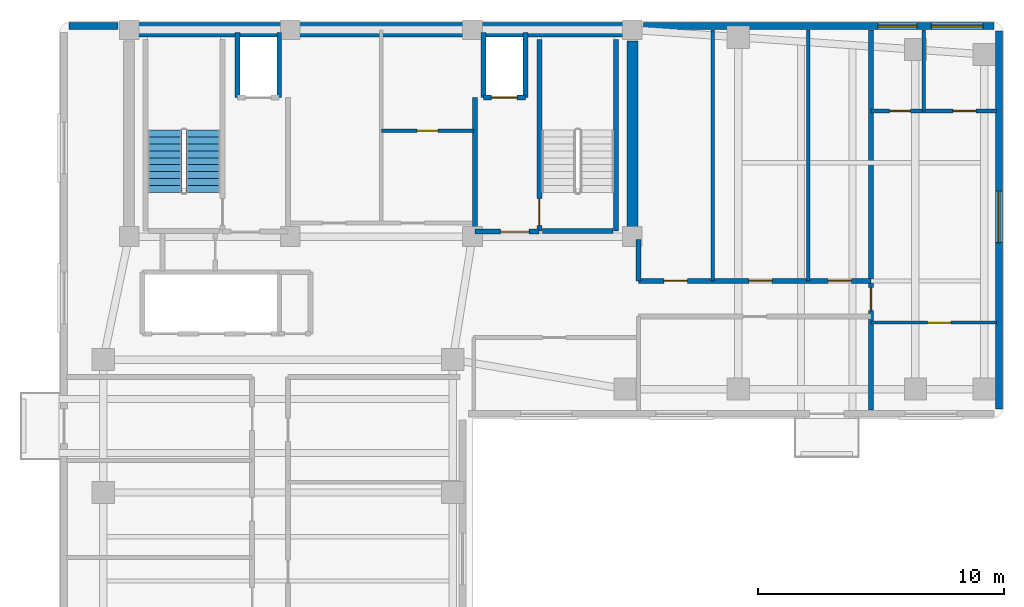
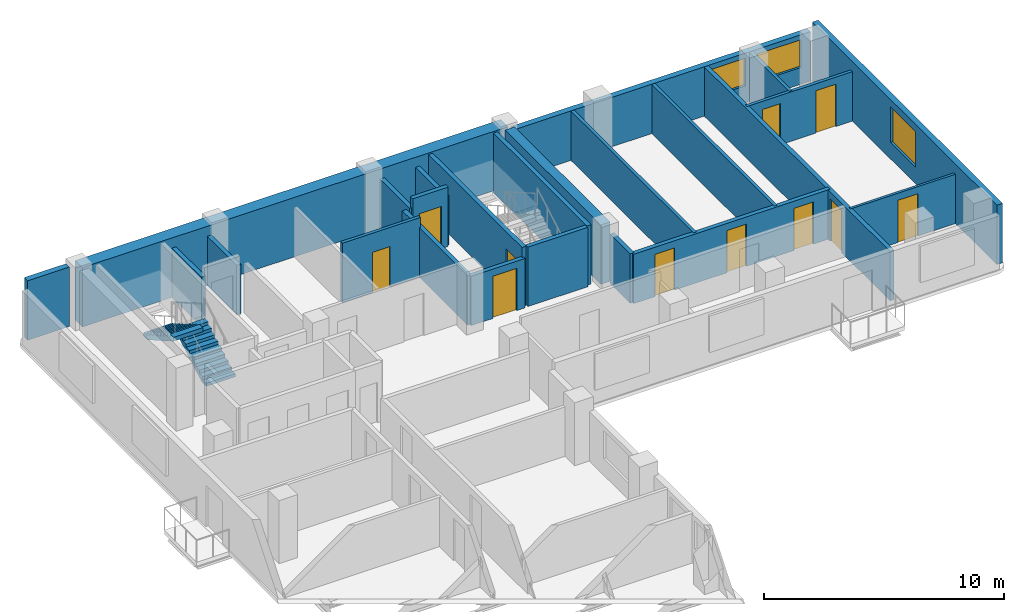
# One storey, part 4 of 7: 24 walls, 11 doors, 3 windows, 2 stair flights, 14 openings, 1 element without a shape of its own.
"""IFC4 building model written with IfcOpenShell, lengths in metres."""

import ifcopenshell
import ifcopenshell.guid

model = None  # the IFC model being written
_history = None  # IfcOwnerHistory: only IFC2X3 demands one
_inside = {}  # id of a spatial element -> (the spatial element, [elements in it])
_under = {}  # id of a project, library or spatial element -> (it, [spatial elements below it])
_declared = {}  # id of a project -> (the project, [libraries it declares])
_typed = {}  # id of a type object -> (the type object, [elements of that type])
_made_of = {}  # id of a material, layer set ... -> (it, [elements and type objects made of it])


def new_model(schema):
    """Start an empty IFC model of exactly this schema.

    Asked for "IFC4X3", IfcOpenShell would pick the latest addendum, in which some entities
    have other attributes; the version numbers below select the first issue.
    IFC2X3 requires an IfcOwnerHistory on every rooted entity: one is made here for all.
    """
    global model, _history
    if schema == "IFC4X3":
        model = ifcopenshell.file(schema_version=(4, 3, 0, 0))
    else:
        model = ifcopenshell.file(schema=schema)
    _inside.clear()
    _under.clear()
    _declared.clear()
    _typed.clear()
    _made_of.clear()
    _history = None
    if model.schema == "IFC2X3":
        org = make("IfcOrganization", Name="unknown")
        user = make(
            "IfcPersonAndOrganization",
            ThePerson=make("IfcPerson", FamilyName="unknown"),
            TheOrganization=org,
        )
        app = make(
            "IfcApplication",
            ApplicationDeveloper=org,
            Version="unknown",
            ApplicationFullName="unknown",
            ApplicationIdentifier="unknown",
        )
        _history = make(
            "IfcOwnerHistory",
            OwningUser=user,
            OwningApplication=app,
            ChangeAction="ADDED",
            CreationDate=0,
        )
    return model


def make(cls, **values):
    """One entity of the class cls with the attributes given. An attribute that is None is left unset."""
    return model.create_entity(
        cls, **{name: value for name, value in values.items() if value is not None}
    )


def rooted(cls, **values):
    """An entity with a GlobalId (a new one), such as an element, a storey or a relation."""
    return make(cls, GlobalId=ifcopenshell.guid.new(), OwnerHistory=_history, **values)


def si_unit(unit_type, name, prefix=None):
    """IfcSIUnit, for example si_unit("LENGTHUNIT", "METRE", prefix="MILLI")."""
    return make("IfcSIUnit", UnitType=unit_type, Prefix=prefix, Name=name)


def assignment(units):
    """IfcUnitAssignment: the units of a project."""
    return None if units is None else make("IfcUnitAssignment", Units=units)


def point(xyz):
    """IfcCartesianPoint."""
    return None if xyz is None else make("IfcCartesianPoint", Coordinates=xyz)


def direction(xyz):
    """IfcDirection."""
    return None if xyz is None else make("IfcDirection", DirectionRatios=xyz)


def frame(location, z_axis=None, x_axis=None):
    """IfcAxis2Placement3D, a coordinate frame: its origin and axes. An axis left out is left unset."""
    return make(
        "IfcAxis2Placement3D",
        Location=point(location),
        Axis=direction(z_axis),
        RefDirection=direction(x_axis),
    )


def frame_2d(location, x_axis=None):
    """IfcAxis2Placement2D, a coordinate frame in the plane: its origin and x axis."""
    return make(
        "IfcAxis2Placement2D", Location=point(location), RefDirection=direction(x_axis)
    )


def origin():
    """The frame at (0, 0, 0) with its axes left unset."""
    return frame((0.0, 0.0, 0.0))


def place(relative_to, where):
    """IfcLocalPlacement: puts the frame where relative to a parent placement (None: the world)."""
    return make(
        "IfcLocalPlacement", PlacementRelTo=relative_to, RelativePlacement=where
    )


def context(
    kind, dimensions, precision=None, world=None, true_north=None, identifier=None
):
    """IfcGeometricRepresentationContext, for example the 3D "Model" context."""
    return make(
        "IfcGeometricRepresentationContext",
        ContextIdentifier=identifier,
        ContextType=kind,
        CoordinateSpaceDimension=dimensions,
        Precision=precision,
        WorldCoordinateSystem=world,
        TrueNorth=true_north,
    )


def subcontext(parent, identifier, kind, view, scale=None):
    """IfcGeometricRepresentationSubContext, for example "Body" below "Model"."""
    return make(
        "IfcGeometricRepresentationSubContext",
        ContextIdentifier=identifier,
        ContextType=kind,
        ParentContext=parent,
        TargetScale=scale,
        TargetView=view,
    )


def project(units=None, contexts=None):
    """IfcProject with its units and contexts."""
    return rooted(
        "IfcProject",
        Name="project",
        RepresentationContexts=contexts,
        UnitsInContext=assignment(units),
    )


def spatial(cls, under=None, at=None, **own):
    """A site, building, storey or space (cls), placed at a placement, below another one or the project."""
    s = rooted(cls, ObjectPlacement=at, **own)
    if under is not None:
        _under.setdefault(under.id(), (under, []))[1].append(s)
    return s


def polyline(points):
    """IfcPolyline through the points."""
    return make("IfcPolyline", Points=[point(p) for p in points])


def profile(cls, at=None, kind="AREA", **sizes):
    """A parametric profile (cls). Its sizes go by their IFC names, for example OverallWidth=200.0."""
    return make(cls, ProfileType=kind, Position=at, **sizes)


def rectangle(**sizes):
    """IfcRectangleProfileDef."""
    return profile("IfcRectangleProfileDef", **sizes)


def outline(outer, holes=None, kind="AREA"):
    """IfcArbitraryClosedProfileDef: a profile drawn as a closed curve; with holes, ...WithVoids."""
    if holes is None:
        return make("IfcArbitraryClosedProfileDef", ProfileType=kind, OuterCurve=outer)
    return make(
        "IfcArbitraryProfileDefWithVoids",
        ProfileType=kind,
        OuterCurve=outer,
        InnerCurves=holes,
    )


def extrude(swept, where, along, depth):
    """IfcExtrudedAreaSolid: the profile swept, set in the frame where, extruded along a direction by depth."""
    return make(
        "IfcExtrudedAreaSolid",
        SweptArea=swept,
        Position=where,
        ExtrudedDirection=direction(along),
        Depth=depth,
    )


def shape(context_of_items, identifier, shape_type, items):
    """IfcShapeRepresentation: the items that make up one representation, for example the "Body"."""
    return make(
        "IfcShapeRepresentation",
        ContextOfItems=context_of_items,
        RepresentationIdentifier=identifier,
        RepresentationType=shape_type,
        Items=items,
    )


def material(Name=None, Category=None):
    """IfcMaterial."""
    return make("IfcMaterial", Name=Name, Category=Category)


def layer(
    of_material, thickness, ventilated=None, Name=None, Category=None, Priority=None
):
    """IfcMaterialLayer: one layer of a wall or slab, of a material (None: an air gap)."""
    return make(
        "IfcMaterialLayer",
        Material=of_material,
        LayerThickness=thickness,
        IsVentilated=ventilated,
        Name=Name,
        Category=Category,
        Priority=Priority,
    )


def layer_set(layers, Name=None):
    """IfcMaterialLayerSet."""
    return make("IfcMaterialLayerSet", MaterialLayers=layers, LayerSetName=Name)


def made_of(thing, what):
    """Note that an element or type object is made of a material, layer set ...; save() writes the relation."""
    if what is not None:
        _made_of.setdefault(what.id(), (what, []))[1].append(thing)
    return thing


def type_object(cls, material=None, **own):
    """A type object (cls), such as IfcWallType, which elements share."""
    return made_of(rooted(cls, **own), material)


def element(
    cls,
    number,
    at=None,
    inside=None,
    cuts=None,
    type_object=None,
    material=None,
    context=None,
    identifier="Body",
    shape_type=None,
    held_by="IfcProductDefinitionShape",
    body=None,
    shapes=None,
    **own,
):
    """One element of the class cls, such as IfcWall. Its Tag is "e" and its number.

    at: its placement. inside: the storey or other place that contains it. cuts: it is an
    opening in that element (IfcRelVoidsElement). A single representation is given by context,
    identifier, shape_type and body (its items); several are given by shapes. held_by: the class
    of the entity that holds the representations. save() writes the other relations.
    """
    e = rooted(cls, Tag="e%d" % number, ObjectPlacement=at, **own)
    if body is not None:
        shapes = [shape(context, identifier, shape_type, body)]
    if shapes is not None:
        e.Representation = make(held_by, Representations=shapes)
    if inside is not None:
        _inside.setdefault(inside.id(), (inside, []))[1].append(e)
    if cuts is not None:
        rooted(
            "IfcRelVoidsElement", RelatingBuildingElement=cuts, RelatedOpeningElement=e
        )
    if type_object is not None:
        _typed.setdefault(type_object.id(), (type_object, []))[1].append(e)
    return made_of(e, material)


def fill(opening, filler):
    """IfcRelFillsElement: the door or window that sits in an opening."""
    return rooted(
        "IfcRelFillsElement",
        RelatingOpeningElement=opening,
        RelatedBuildingElement=filler,
    )


def aggregate(whole, parts):
    """IfcRelAggregates: a whole, such as a stair, and the parts it consists of."""
    return rooted("IfcRelAggregates", RelatingObject=whole, RelatedObjects=parts)


def save(model, path):
    """Write the relations noted so far, then the file.

    IfcRelAggregates (storeys below a building ...), IfcRelContainedInSpatialStructure (elements
    in a storey), IfcRelDefinesByType, IfcRelAssociatesMaterial and IfcRelDeclares: one each for
    every whole, place, type object, material and project.
    """
    for whole, parts in _under.values():
        aggregate(whole, parts)
    for where, things in _inside.values():
        rooted(
            "IfcRelContainedInSpatialStructure",
            RelatedElements=things,
            RelatingStructure=where,
        )
    for kind, things in _typed.values():
        rooted("IfcRelDefinesByType", RelatedObjects=things, RelatingType=kind)
    for what, things in _made_of.values():
        rooted("IfcRelAssociatesMaterial", RelatedObjects=things, RelatingMaterial=what)
    for by, libraries in _declared.values():
        rooted("IfcRelDeclares", RelatingContext=by, RelatedDefinitions=libraries)
    model.write(path)


model = new_model("IFC4")

# Units and contexts
model_context = context("Model", 3, precision=1e-05, world=origin(), true_north=direction((0.0, 1.0)))
body_context = subcontext(model_context, "Body", "Model", "MODEL_VIEW")
ifc_project = project(units=[si_unit("LENGTHUNIT", "METRE"), si_unit("AREAUNIT", "SQUARE_METRE"), si_unit("VOLUMEUNIT", "CUBIC_METRE"), si_unit("PLANEANGLEUNIT", "RADIAN"), si_unit("MASSUNIT", "GRAM", prefix="KILO")], contexts=[model_context])

# Site, building, storey
site_placement = place(None, origin())
site = spatial("IfcSite", under=ifc_project, at=site_placement, CompositionType="ELEMENT")
building_placement = place(site_placement, origin())
building = spatial("IfcBuilding", under=site, at=building_placement, Name="Kuzgunbayir Cultural Tower", CompositionType="ELEMENT")
storey_placement = place(building_placement, frame((0.0, 0.0, 198.39990234375)))
storey = spatial("IfcBuildingStorey", under=building, at=storey_placement, Name="L58", CompositionType="ELEMENT", Elevation=198.39990234375)

# Walls
ifc_material_1 = material(Name="Concrete C50/60", Category="concrete")
ifc_layer_1 = layer(ifc_material_1, 0.449951171875)
ifc_layer_set_1 = layer_set([ifc_layer_1], Name="Concrete C50/60")
wall_type_1 = type_object("IfcWallType", Name="WAL-CORE-450", PredefinedType="SHEAR", material=ifc_layer_set_1)
wall_1_placement = place(storey_placement, frame((26.89990234375, 33.800048828125, 0.0), z_axis=(0.0, 0.0, 1.0), x_axis=(0.0, 1.0, 0.0)))
element("IfcWall", 1, at=wall_1_placement, inside=storey, type_object=wall_type_1, Name="L58 T1 Core East Shear Wall", PredefinedType="SHEAR", context=body_context, shape_type="SweptSolid", body=[
    extrude(rectangle(XDim=7.949951171875, YDim=0.449951171875, at=frame_2d((3.97509765625, 0.0))), origin(), (0.0, 0.0, 1.0), 3.02001953125),
])
ifc_material_2 = material(Name="Concrete C60/75", Category="concrete")
ifc_layer_2 = layer(ifc_material_2, 0.60009765625)
ifc_layer_set_2 = layer_set([ifc_layer_2], Name="Concrete C60/75")
wall_type_2 = type_object("IfcWallType", Name="WAL-CORE-600", PredefinedType="SHEAR", material=ifc_layer_set_2)
wall_2_placement = place(storey_placement, frame((6.449951171875, 42.199951171875, 0.0), z_axis=(0.0, 0.0, 1.0), x_axis=(1.0, 0.0, 0.0)))
element("IfcWall", 2, at=wall_2_placement, inside=storey, type_object=wall_type_2, Name="L58 T1 Core North Shear Wall", PredefinedType="SHEAR", context=body_context, shape_type="SweptSolid", body=[
    extrude(rectangle(XDim=20.449951171875, YDim=0.60009765625, at=frame_2d((10.22509765625, 0.0))), origin(), (0.0, 0.0, 1.0), 3.02001953125),
])

# Wall, openings, windows
ifc_material_3 = material(Name="Anatolian Cream Limestone", Category="masonry")
ifc_layer_3 = layer(ifc_material_3, 0.280029296875)
ifc_layer_set_3 = layer_set([ifc_layer_3], Name="Anatolian Cream Limestone")
wall_type_3 = type_object("IfcWallType", Name="WAL-EXT-STONE-280", PredefinedType="STANDARD", material=ifc_layer_set_3)
wall_3_placement = place(storey_placement, frame((41.60009765625, 42.35009765625, 0.0), z_axis=(0.0, 0.0, 1.0), x_axis=(-1.0, 0.0, 0.0)))
wall_3 = element("IfcWall", 3, at=wall_3_placement, inside=storey, type_object=wall_type_3, Name="L58 North Wing B Limestone Wall", PredefinedType="STANDARD", context=body_context, shape_type="SweptSolid", body=[
    extrude(rectangle(XDim=14.25, YDim=0.280029296875, at=frame_2d((7.125, 0.0))), origin(), (0.0, 0.0, 1.0), 2.510009765625),
])
opening_1_placement = place(wall_3_placement, frame((3.1298828125, 0.0, 0.85009765625)))
opening_1 = element("IfcOpeningElement", 4, at=opening_1_placement, cuts=wall_3, Name="Opening WC-16", PredefinedType="OPENING", context=body_context, shape_type="SweptSolid", body=[
    extrude(rectangle(XDim=1.60009765625, YDim=1.409912109375, at=frame_2d((0.800048828125, 0.705078125))), frame((0.0, 0.14990234375, 0.0), z_axis=(0.0, -1.0, 0.0), x_axis=(1.0, 0.0, 0.0)), (0.0, 0.0, 1.0), 0.300048828125),
])
opening_2_placement = place(wall_3_placement, frame((0.449951171875, 0.0, 0.85009765625)))
opening_2 = element("IfcOpeningElement", 5, at=opening_2_placement, cuts=wall_3, Name="Opening WR-21", PredefinedType="OPENING", context=body_context, shape_type="SweptSolid", body=[
    extrude(rectangle(XDim=2.10009765625, YDim=1.409912109375, at=frame_2d((1.050048828125, 0.705078125))), frame((0.0, 0.14990234375, 0.0), z_axis=(0.0, -1.0, 0.0), x_axis=(1.0, 0.0, 0.0)), (0.0, 0.0, 1.0), 0.300048828125),
])
ifc_material_4 = material(Name="Solar-Control Triple Glazing", Category="glass")
window_type_1 = type_object("IfcWindowType", Name="WIN-COMP-16", PartitioningType="SINGLE_PANEL", PredefinedType="WINDOW", material=ifc_material_4)
window_1_placement = place(opening_1_placement, origin())
window_1 = element("IfcWindow", 6, at=window_1_placement, inside=storey, type_object=window_type_1, Name="L58 CRN Facade Window 7", OverallHeight=1.409912109375, OverallWidth=1.60009765625, PartitioningType="SINGLE_PANEL", PredefinedType="WINDOW", context=body_context, shape_type="SweptSolid", body=[
    extrude(rectangle(XDim=1.60009765625, YDim=1.409912109375, at=frame_2d((0.800048828125, 0.705078125))), frame((0.0, 0.030029296875, 0.0), z_axis=(0.0, -1.0, 0.0), x_axis=(1.0, 0.0, 0.0)), (0.0, 0.0, 1.0), 0.06005859375),
])
fill(opening_1, window_1)
window_type_2 = type_object("IfcWindowType", Name="WIN-RESID-21", PartitioningType="SINGLE_PANEL", PredefinedType="WINDOW", material=ifc_material_4)
window_2_placement = place(opening_2_placement, origin())
window_2 = element("IfcWindow", 7, at=window_2_placement, inside=storey, type_object=window_type_2, Name="L58 CRN Facade Window 8", OverallHeight=1.409912109375, OverallWidth=2.10009765625, PartitioningType="SINGLE_PANEL", PredefinedType="WINDOW", context=body_context, shape_type="SweptSolid", body=[
    extrude(rectangle(XDim=2.10009765625, YDim=1.409912109375, at=frame_2d((1.050048828125, 0.705078125))), frame((0.0, 0.030029296875, 0.0), z_axis=(0.0, -1.0, 0.0), x_axis=(1.0, 0.0, 0.0)), (0.0, 0.0, 1.0), 0.06005859375),
])
fill(opening_2, window_2)

# Wall
wall_4_placement = place(storey_placement, frame((6.0, 42.35009765625, 0.0), z_axis=(0.0, 0.0, 1.0), x_axis=(-1.0, 0.0, 0.0)))
element("IfcWall", 8, at=wall_4_placement, inside=storey, type_object=wall_type_3, Name="L58 Core North-West Spandrel Link", PredefinedType="STANDARD", context=body_context, shape_type="SweptSolid", body=[
    extrude(rectangle(XDim=2.0, YDim=0.280029296875, at=frame_2d((1.0, 0.0))), origin(), (0.0, 0.0, 1.0), 3.02001953125),
])

# Wall, opening, window
wall_5_placement = place(storey_placement, frame((41.800048828125, 26.800048828125, 0.0), z_axis=(0.0, 0.0, 1.0), x_axis=(0.0, 1.0, 0.0)))
wall_5 = element("IfcWall", 9, at=wall_5_placement, inside=storey, type_object=wall_type_3, Name="L58 Wing B East Limestone Wall", PredefinedType="STANDARD", context=body_context, shape_type="SweptSolid", body=[
    extrude(rectangle(XDim=15.349853515625, YDim=0.280029296875, at=frame_2d((7.6748046875, 0.0))), origin(), (0.0, 0.0, 1.0), 3.02001953125),
])
opening_3_placement = place(wall_5_placement, frame((6.75, 0.0, 0.85009765625)))
opening_3 = element("IfcOpeningElement", 10, at=opening_3_placement, cuts=wall_5, Name="Opening WR-21", PredefinedType="OPENING", context=body_context, shape_type="SweptSolid", body=[
    extrude(rectangle(XDim=2.10009765625, YDim=1.800048828125, at=frame_2d((1.050048828125, 0.89990234375))), frame((0.0, 0.14990234375, 0.0), z_axis=(0.0, -1.0, 0.0), x_axis=(1.0, 0.0, 0.0)), (0.0, 0.0, 1.0), 0.300048828125),
])
window_3_placement = place(opening_3_placement, origin())
window_3 = element("IfcWindow", 11, at=window_3_placement, inside=storey, type_object=window_type_2, Name="L58 WBE Facade Window 5", OverallHeight=1.800048828125, OverallWidth=2.10009765625, PartitioningType="SINGLE_PANEL", PredefinedType="WINDOW", context=body_context, shape_type="SweptSolid", body=[
    extrude(rectangle(XDim=2.10009765625, YDim=1.800048828125, at=frame_2d((1.050048828125, 0.89990234375))), frame((0.0, 0.030029296875, 0.0), z_axis=(0.0, -1.0, 0.0), x_axis=(1.0, 0.0, 0.0)), (0.0, 0.0, 1.0), 0.06005859375),
])
fill(opening_3, window_3)

# Wall, opening, door
ifc_material_5 = material(Name="Acoustic Double-Stud Drywall", Category="gypsum")
ifc_layer_4 = layer(ifc_material_5, 0.14990234375)
ifc_layer_set_4 = layer_set([ifc_layer_4], Name="Acoustic Double-Stud Drywall")
wall_type_4 = type_object("IfcWallType", Name="WAL-PART-ACOUSTIC-150", PredefinedType="PARTITIONING", material=ifc_layer_set_4)
wall_6_placement = place(storey_placement, frame((16.699951171875, 38.10009765625, 0.0), z_axis=(0.0, 0.0, 1.0), x_axis=(1.0, 0.0, 0.0)))
wall_6 = element("IfcWall", 12, at=wall_6_placement, inside=storey, type_object=wall_type_4, Name="L58 Sky Core Store Divider", PredefinedType="PARTITIONING", context=body_context, shape_type="SweptSolid", body=[
    extrude(rectangle(XDim=3.75, YDim=0.14990234375, at=frame_2d((1.875, 0.0))), origin(), (0.0, 0.0, 1.0), 3.02001953125),
])
opening_4_placement = place(wall_6_placement, frame((1.449951171875, 0.0, 0.0)))
opening_4 = element("IfcOpeningElement", 13, at=opening_4_placement, cuts=wall_6, Name="Opening DC-85", PredefinedType="OPENING", context=body_context, shape_type="SweptSolid", body=[
    extrude(rectangle(XDim=0.85009765625, YDim=2.050048828125, at=frame_2d((0.425048828125, 1.02490234375))), frame((0.0, 0.0849609375, 0.0), z_axis=(0.0, -1.0, 0.0), x_axis=(1.0, 0.0, 0.0)), (0.0, 0.0, 1.0), 0.169921875),
])
ifc_material_6 = material(Name="Fire-Rated Veneered Oak Leaf", Category="wood")
door_type_1 = type_object("IfcDoorType", Name="DR-CORE-85", OperationType="NOTDEFINED", PredefinedType="DOOR", material=ifc_material_6)
door_1_placement = place(opening_4_placement, origin())
door_1 = element("IfcDoor", 14, at=door_1_placement, inside=storey, type_object=door_type_1, Name="L58 Core Electrical Store Door", OperationType="SINGLE_SWING_RIGHT", OverallHeight=2.050048828125, OverallWidth=0.85009765625, PredefinedType="DOOR", context=body_context, shape_type="SweptSolid", body=[
    extrude(rectangle(XDim=0.85009765625, YDim=2.050048828125, at=frame_2d((0.425048828125, 1.02490234375))), frame((0.0, 0.02490234375, 0.0), z_axis=(0.0, -1.0, 0.0), x_axis=(1.0, 0.0, 0.0)), (0.0, 0.0, 1.0), 0.050048828125),
])
fill(opening_4, door_1)

# Walls
for number, where, z_axis, x_axis, name in (
    (15, (30.169921875, 32.0, 0.0), (0.0, 0.0, 1.0), (0.0, 1.0, 0.0), "L58 Wing B North Divider 1"),
    (16, (34.050048828125, 32.0, 0.0), (0.0, 0.0, 1.0), (0.0, 1.0, 0.0), "L58 Wing B North Divider 2"),
):
    element("IfcWall", number, at=place(storey_placement, frame(where, z_axis=z_axis, x_axis=x_axis)), inside=storey, type_object=wall_type_4, Name=name, PredefinedType="PARTITIONING", context=body_context, shape_type="SweptSolid", body=[
        extrude(rectangle(XDim=10.199951171875, YDim=0.14990234375, at=frame_2d((5.10009765625, 0.0))), origin(), (0.0, 0.0, 1.0), 2.510009765625),
    ])
ifc_material_7 = material(Name="Aerated Concrete Blockwork", Category="masonry")
ifc_layer_5 = layer(ifc_material_7, 0.199951171875)
ifc_layer_set_5 = layer_set([ifc_layer_5], Name="Aerated Concrete Blockwork")
wall_type_5 = type_object("IfcWallType", Name="WAL-PART-FIRE-200", PredefinedType="PARTITIONING", material=ifc_layer_set_5)
wall_7_placement = place(storey_placement, frame((20.5, 34.0, 0.0), z_axis=(0.0, 0.0, 1.0), x_axis=(0.0, 1.0, 0.0)))
element("IfcWall", 17, at=wall_7_placement, inside=storey, type_object=wall_type_5, Name="L58 FFL-2 Lobby West Fire Wall", PredefinedType="PARTITIONING", context=body_context, shape_type="SweptSolid", body=[
    extrude(rectangle(XDim=5.449951171875, YDim=0.199951171875, at=frame_2d((2.72509765625, 0.0))), origin(), (0.0, 0.0, 1.0), 2.510009765625),
])

# Wall, opening, door
wall_8_placement = place(storey_placement, frame((20.5, 34.0, 0.0), z_axis=(0.0, 0.0, 1.0), x_axis=(1.0, 0.0, 0.0)))
wall_8 = element("IfcWall", 18, at=wall_8_placement, inside=storey, type_object=wall_type_5, Name="L58 FFL-2 Lobby South Fire Wall", PredefinedType="PARTITIONING", context=body_context, shape_type="SweptSolid", body=[
    extrude(rectangle(XDim=2.60009765625, YDim=0.199951171875, at=frame_2d((1.300048828125, 0.0))), origin(), (0.0, 0.0, 1.0), 2.510009765625),
])
opening_5_placement = place(wall_8_placement, frame((1.050048828125, 0.0, 0.0)))
opening_5 = element("IfcOpeningElement", 19, at=opening_5_placement, cuts=wall_8, Name="Opening DR-FFL-90", PredefinedType="OPENING", context=body_context, shape_type="SweptSolid", body=[
    extrude(rectangle(XDim=1.14990234375, YDim=2.14990234375, at=frame_2d((0.574951171875, 1.074951171875))), frame((0.0, 0.10986328125, 0.0), z_axis=(0.0, -1.0, 0.0), x_axis=(1.0, 0.0, 0.0)), (0.0, 0.0, 1.0), 0.219970703125),
])
ifc_material_8 = material(Name="Steel S355J2", Category="steel")
door_type_2 = type_object("IfcDoorType", Name="DR-FFL-90", OperationType="NOTDEFINED", PredefinedType="DOOR", material=ifc_material_8)
door_2_placement = place(opening_5_placement, origin())
door_2 = element("IfcDoor", 20, at=door_2_placement, inside=storey, type_object=door_type_2, Name="L58 Firefighting Lobby 2 Door", OperationType="SINGLE_SWING_LEFT", OverallHeight=2.14990234375, OverallWidth=1.14990234375, PredefinedType="DOOR", context=body_context, shape_type="SweptSolid", body=[
    extrude(rectangle(XDim=1.14990234375, YDim=2.14990234375, at=frame_2d((0.574951171875, 1.074951171875))), frame((0.0, 0.02490234375, 0.0), z_axis=(0.0, -1.0, 0.0), x_axis=(1.0, 0.0, 0.0)), (0.0, 0.0, 1.0), 0.050048828125),
])
fill(opening_5, door_2)

# Wall, openings, doors
wall_9_placement = place(storey_placement, frame((27.14990234375, 32.0, 0.0), z_axis=(0.0, 0.0, 1.0), x_axis=(1.0, 0.0, 0.0)))
wall_9 = element("IfcWall", 21, at=wall_9_placement, inside=storey, type_object=wall_type_5, Name="L58 Wing B Residence Corridor North Wall", PredefinedType="PARTITIONING", context=body_context, shape_type="SweptSolid", body=[
    extrude(rectangle(XDim=9.4501953125, YDim=0.199951171875, at=frame_2d((4.72509765625, 0.0))), origin(), (0.0, 0.0, 1.0), 2.510009765625),
])
opening_6_placement = place(wall_9_placement, frame((1.030029296875, 0.0, 0.0)))
opening_6 = element("IfcOpeningElement", 22, at=opening_6_placement, cuts=wall_9, Name="Opening DI-90", PredefinedType="OPENING", context=body_context, shape_type="SweptSolid", body=[
    extrude(rectangle(XDim=0.949951171875, YDim=2.14990234375, at=frame_2d((0.47509765625, 1.074951171875))), frame((0.0, 0.10986328125, 0.0), z_axis=(0.0, -1.0, 0.0), x_axis=(1.0, 0.0, 0.0)), (0.0, 0.0, 1.0), 0.219970703125),
])
opening_7_placement = place(wall_9_placement, frame((4.47998046875, 0.0, 0.0)))
opening_7 = element("IfcOpeningElement", 23, at=opening_7_placement, cuts=wall_9, Name="Opening DI-90", PredefinedType="OPENING", context=body_context, shape_type="SweptSolid", body=[
    extrude(rectangle(XDim=0.949951171875, YDim=2.14990234375, at=frame_2d((0.47509765625, 1.074951171875))), frame((0.0, 0.10986328125, 0.0), z_axis=(0.0, -1.0, 0.0), x_axis=(1.0, 0.0, 0.0)), (0.0, 0.0, 1.0), 0.219970703125),
])
opening_8_placement = place(wall_9_placement, frame((7.699951171875, 0.0, 0.0)))
opening_8 = element("IfcOpeningElement", 24, at=opening_8_placement, cuts=wall_9, Name="Opening DI-90", PredefinedType="OPENING", context=body_context, shape_type="SweptSolid", body=[
    extrude(rectangle(XDim=0.949951171875, YDim=2.14990234375, at=frame_2d((0.47509765625, 1.074951171875))), frame((0.0, 0.10986328125, 0.0), z_axis=(0.0, -1.0, 0.0), x_axis=(1.0, 0.0, 0.0)), (0.0, 0.0, 1.0), 0.219970703125),
])
ifc_material_9 = material(Name="Veneered Oak Single Leaf", Category="wood")
door_type_3 = type_object("IfcDoorType", Name="DR-INT-90", OperationType="NOTDEFINED", PredefinedType="DOOR", material=ifc_material_9)
door_3_placement = place(opening_6_placement, origin())
door_3 = element("IfcDoor", 25, at=door_3_placement, inside=storey, type_object=door_type_3, Name="L58 Residents Fellows Reading Lounge 1 Door", OperationType="SINGLE_SWING_LEFT", OverallHeight=2.14990234375, OverallWidth=0.949951171875, PredefinedType="DOOR", context=body_context, shape_type="SweptSolid", body=[
    extrude(rectangle(XDim=0.949951171875, YDim=2.14990234375, at=frame_2d((0.47509765625, 1.074951171875))), frame((0.0, 0.02490234375, 0.0), z_axis=(0.0, -1.0, 0.0), x_axis=(1.0, 0.0, 0.0)), (0.0, 0.0, 1.0), 0.050048828125),
])
fill(opening_6, door_3)
door_4_placement = place(opening_7_placement, origin())
door_4 = element("IfcDoor", 26, at=door_4_placement, inside=storey, type_object=door_type_3, Name="L58 Residents Curatorial Office 2 Door", OperationType="SINGLE_SWING_RIGHT", OverallHeight=2.14990234375, OverallWidth=0.949951171875, PredefinedType="DOOR", context=body_context, shape_type="SweptSolid", body=[
    extrude(rectangle(XDim=0.949951171875, YDim=2.14990234375, at=frame_2d((0.47509765625, 1.074951171875))), frame((0.0, 0.02490234375, 0.0), z_axis=(0.0, -1.0, 0.0), x_axis=(1.0, 0.0, 0.0)), (0.0, 0.0, 1.0), 0.050048828125),
])
fill(opening_7, door_4)
door_5_placement = place(opening_8_placement, origin())
door_5 = element("IfcDoor", 27, at=door_5_placement, inside=storey, type_object=door_type_3, Name="L58 Residents Seminar Boardroom 3 Door", OperationType="SINGLE_SWING_LEFT", OverallHeight=2.14990234375, OverallWidth=0.949951171875, PredefinedType="DOOR", context=body_context, shape_type="SweptSolid", body=[
    extrude(rectangle(XDim=0.949951171875, YDim=2.14990234375, at=frame_2d((0.47509765625, 1.074951171875))), frame((0.0, 0.02490234375, 0.0), z_axis=(0.0, -1.0, 0.0), x_axis=(1.0, 0.0, 0.0)), (0.0, 0.0, 1.0), 0.050048828125),
])
fill(opening_8, door_5)

# Wall
wall_10_placement = place(storey_placement, frame((27.14990234375, 32.0, 0.0), z_axis=(0.0, 0.0, 1.0), x_axis=(0.0, 1.0, 0.0)))
element("IfcWall", 28, at=wall_10_placement, inside=storey, type_object=wall_type_5, Name="L58 Wing B Residence North Core Closure Wall", PredefinedType="PARTITIONING", context=body_context, shape_type="SweptSolid", body=[
    extrude(rectangle(XDim=1.679931640625, YDim=0.199951171875, at=frame_2d((0.83984375, 0.0))), origin(), (0.0, 0.0, 1.0), 2.510009765625),
])

# Wall, opening, door
wall_11_placement = place(storey_placement, frame((36.60009765625, 26.75, 0.0), z_axis=(0.0, 0.0, 1.0), x_axis=(0.0, 1.0, 0.0)))
wall_11 = element("IfcWall", 29, at=wall_11_placement, inside=storey, type_object=wall_type_5, Name="L58 Apartment D Party Wall", PredefinedType="PARTITIONING", context=body_context, shape_type="SweptSolid", body=[
    extrude(rectangle(XDim=15.449951171875, YDim=0.199951171875, at=frame_2d((7.72509765625, 0.0))), origin(), (0.0, 0.0, 1.0), 2.510009765625),
])
opening_9_placement = place(wall_11_placement, frame((4.0400390625, 0.0, 0.0)))
opening_9 = element("IfcOpeningElement", 30, at=opening_9_placement, cuts=wall_11, Name="Opening DR-APT-60", PredefinedType="OPENING", context=body_context, shape_type="SweptSolid", body=[
    extrude(rectangle(XDim=0.949951171875, YDim=2.14990234375, at=frame_2d((0.47509765625, 1.074951171875))), frame((0.0, 0.10986328125, 0.0), z_axis=(0.0, -1.0, 0.0), x_axis=(1.0, 0.0, 0.0)), (0.0, 0.0, 1.0), 0.219970703125),
])
ifc_material_10 = material(Name="Acoustic Fire Timber Leaf", Category="wood")
door_type_4 = type_object("IfcDoorType", Name="DR-APT-60", OperationType="NOTDEFINED", PredefinedType="DOOR", material=ifc_material_10)
door_6_placement = place(opening_9_placement, origin())
door_6 = element("IfcDoor", 31, at=door_6_placement, inside=storey, type_object=door_type_4, Name="L58 Apartment D Entrance", OperationType="SINGLE_SWING_RIGHT", OverallHeight=2.14990234375, OverallWidth=0.949951171875, PredefinedType="DOOR", context=body_context, shape_type="SweptSolid", body=[
    extrude(rectangle(XDim=0.949951171875, YDim=2.14990234375, at=frame_2d((0.47509765625, 1.074951171875))), frame((0.0, 0.02490234375, 0.0), z_axis=(0.0, -1.0, 0.0), x_axis=(1.0, 0.0, 0.0)), (0.0, 0.0, 1.0), 0.050048828125),
])
fill(opening_9, door_6)

ifc_material_11 = material(Name="Framed Gypsum Partition", Category="gypsum")
ifc_layer_6 = layer(ifc_material_11, 0.1201171875)
ifc_layer_set_6 = layer_set([ifc_layer_6], Name="Framed Gypsum Partition")
wall_type_6 = type_object("IfcWallType", Name="WAL-PART-INT-120", PredefinedType="PARTITIONING", material=ifc_layer_set_6)
wall_12_placement = place(storey_placement, frame((36.60009765625, 30.300048828125, 0.0), z_axis=(0.0, 0.0, 1.0), x_axis=(1.0, 0.0, 0.0)))
wall_12 = element("IfcWall", 32, at=wall_12_placement, inside=storey, type_object=wall_type_6, Name="L58 Flat D Bedroom Wall", PredefinedType="PARTITIONING", context=body_context, shape_type="SweptSolid", body=[
    extrude(rectangle(XDim=5.099853515625, YDim=0.1201171875, at=frame_2d((2.5498046875, 0.0))), origin(), (0.0, 0.0, 1.0), 2.510009765625),
])
opening_10_placement = place(wall_12_placement, frame((2.300048828125, 0.0, 0.0)))
opening_10 = element("IfcOpeningElement", 33, at=opening_10_placement, cuts=wall_12, Name="Opening DI-90", PredefinedType="OPENING", context=body_context, shape_type="SweptSolid", body=[
    extrude(rectangle(XDim=0.949951171875, YDim=2.14990234375, at=frame_2d((0.47509765625, 1.074951171875))), frame((0.0, 0.070068359375, 0.0), z_axis=(0.0, -1.0, 0.0), x_axis=(1.0, 0.0, 0.0)), (0.0, 0.0, 1.0), 0.14013671875),
])
door_7_placement = place(opening_10_placement, origin())
door_7 = element("IfcDoor", 34, at=door_7_placement, inside=storey, type_object=door_type_3, Name="L58 Apartment D Bedroom Door", OperationType="SINGLE_SWING_LEFT", OverallHeight=2.14990234375, OverallWidth=0.949951171875, PredefinedType="DOOR", context=body_context, shape_type="SweptSolid", body=[
    extrude(rectangle(XDim=0.949951171875, YDim=2.14990234375, at=frame_2d((0.47509765625, 1.074951171875))), frame((0.0, 0.02490234375, 0.0), z_axis=(0.0, -1.0, 0.0), x_axis=(1.0, 0.0, 0.0)), (0.0, 0.0, 1.0), 0.050048828125),
])
fill(opening_10, door_7)

# Wall, openings, doors
ifc_material_12 = material(Name="Moisture-Resistant Tile Partition", Category="gypsum")
ifc_layer_7 = layer(ifc_material_12, 0.14990234375)
ifc_layer_set_7 = layer_set([ifc_layer_7], Name="Moisture-Resistant Tile Partition")
wall_type_7 = type_object("IfcWallType", Name="WAL-PART-WET-150", PredefinedType="PARTITIONING", material=ifc_layer_set_7)
wall_13_placement = place(storey_placement, frame((36.60009765625, 38.89990234375, 0.0), z_axis=(0.0, 0.0, 1.0), x_axis=(1.0, 0.0, 0.0)))
wall_13 = element("IfcWall", 35, at=wall_13_placement, inside=storey, type_object=wall_type_7, Name="L58 Flat D Service Wall", PredefinedType="PARTITIONING", context=body_context, shape_type="SweptSolid", body=[
    extrude(rectangle(XDim=5.099853515625, YDim=0.14990234375, at=frame_2d((2.5498046875, 0.0))), origin(), (0.0, 0.0, 1.0), 2.510009765625),
])
opening_11_placement = place(wall_13_placement, frame((0.75, 0.0, 0.0)))
opening_11 = element("IfcOpeningElement", 36, at=opening_11_placement, cuts=wall_13, Name="Opening DW-85", PredefinedType="OPENING", context=body_context, shape_type="SweptSolid", body=[
    extrude(rectangle(XDim=0.85009765625, YDim=2.10009765625, at=frame_2d((0.425048828125, 1.050048828125))), frame((0.0, 0.0849609375, 0.0), z_axis=(0.0, -1.0, 0.0), x_axis=(1.0, 0.0, 0.0)), (0.0, 0.0, 1.0), 0.169921875),
])
opening_12_placement = place(wall_13_placement, frame((3.320068359375, 0.0, 0.0)))
opening_12 = element("IfcOpeningElement", 37, at=opening_12_placement, cuts=wall_13, Name="Opening DI-90", PredefinedType="OPENING", context=body_context, shape_type="SweptSolid", body=[
    extrude(rectangle(XDim=0.949951171875, YDim=2.14990234375, at=frame_2d((0.47509765625, 1.074951171875))), frame((0.0, 0.0849609375, 0.0), z_axis=(0.0, -1.0, 0.0), x_axis=(1.0, 0.0, 0.0)), (0.0, 0.0, 1.0), 0.169921875),
])
door_8_placement = place(opening_12_placement, origin())
door_8 = element("IfcDoor", 38, at=door_8_placement, inside=storey, type_object=door_type_3, Name="L58 Apartment D Kitchen Door", OperationType="SINGLE_SWING_LEFT", OverallHeight=2.14990234375, OverallWidth=0.949951171875, PredefinedType="DOOR", context=body_context, shape_type="SweptSolid", body=[
    extrude(rectangle(XDim=0.949951171875, YDim=2.14990234375, at=frame_2d((0.47509765625, 1.074951171875))), frame((0.0, 0.02490234375, 0.0), z_axis=(0.0, -1.0, 0.0), x_axis=(1.0, 0.0, 0.0)), (0.0, 0.0, 1.0), 0.050048828125),
])
fill(opening_12, door_8)
ifc_material_13 = material(Name="Laminate Moisture-Resistant Leaf", Category="wood")
door_type_5 = type_object("IfcDoorType", Name="DR-WET-85", OperationType="NOTDEFINED", PredefinedType="DOOR", material=ifc_material_13)
door_9_placement = place(opening_11_placement, origin())
door_9 = element("IfcDoor", 39, at=door_9_placement, inside=storey, type_object=door_type_5, Name="L58 Apartment D Bathroom Door", OperationType="SINGLE_SWING_RIGHT", OverallHeight=2.10009765625, OverallWidth=0.85009765625, PredefinedType="DOOR", context=body_context, shape_type="SweptSolid", body=[
    extrude(rectangle(XDim=0.85009765625, YDim=2.10009765625, at=frame_2d((0.425048828125, 1.050048828125))), frame((0.0, 0.02490234375, 0.0), z_axis=(0.0, -1.0, 0.0), x_axis=(1.0, 0.0, 0.0)), (0.0, 0.0, 1.0), 0.050048828125),
])
fill(opening_11, door_9)

# Wall
wall_14_placement = place(storey_placement, frame((38.739990234375, 38.89990234375, 0.0), z_axis=(0.0, 0.0, 1.0), x_axis=(0.0, 1.0, 0.0)))
element("IfcWall", 40, at=wall_14_placement, inside=storey, type_object=wall_type_7, Name="L58 Flat D Bath Divider", PredefinedType="PARTITIONING", context=body_context, shape_type="SweptSolid", body=[
    extrude(rectangle(XDim=3.300048828125, YDim=0.14990234375, at=frame_2d((1.64990234375, 0.0))), origin(), (0.0, 0.0, 1.0), 2.510009765625),
])

# Wall, opening, door
ifc_material_14 = material(Name="Concrete C40/50", Category="concrete")
ifc_layer_8 = layer(ifc_material_14, 0.199951171875)
ifc_layer_set_8 = layer_set([ifc_layer_8], Name="Concrete C40/50")
wall_type_8 = type_object("IfcWallType", Name="WAL-SHAFT-200", PredefinedType="MOVABLE", material=ifc_layer_set_8)
wall_15_placement = place(storey_placement, frame((20.85009765625, 39.449951171875, 0.0), z_axis=(0.0, 0.0, 1.0), x_axis=(1.0, 0.0, 0.0)))
wall_15 = element("IfcWall", 41, at=wall_15_placement, inside=storey, type_object=wall_type_8, Name="L58 FFL-2 Lift Front Wall", PredefinedType="MOVABLE", context=body_context, shape_type="SweptSolid", body=[
    extrude(rectangle(XDim=1.699951171875, YDim=0.199951171875, at=frame_2d((0.85009765625, 0.0))), origin(), (0.0, 0.0, 1.0), 3.02001953125),
])
opening_13_placement = place(wall_15_placement, frame((0.320068359375, 0.0, 0.0)))
opening_13 = element("IfcOpeningElement", 42, at=opening_13_placement, cuts=wall_15, Name="Opening LD", PredefinedType="OPENING", context=body_context, shape_type="SweptSolid", body=[
    extrude(rectangle(XDim=1.050048828125, YDim=2.14990234375, at=frame_2d((0.52490234375, 1.074951171875))), frame((0.0, 0.10986328125, 0.0), z_axis=(0.0, -1.0, 0.0), x_axis=(1.0, 0.0, 0.0)), (0.0, 0.0, 1.0), 0.219970703125),
])
ifc_material_15 = material(Name="Brushed Stainless Steel", Category="steel")
door_type_6 = type_object("IfcDoorType", Name="DR-LIFT-LANDING", OperationType="SLIDING_TO_LEFT", PredefinedType="DOOR", material=ifc_material_15)
door_10_placement = place(opening_13_placement, origin())
door_10 = element("IfcDoor", 43, at=door_10_placement, inside=storey, type_object=door_type_6, Name="L58 Lift FFL-2 Landing Door", OperationType="SLIDING_TO_LEFT", OverallHeight=2.14990234375, OverallWidth=1.050048828125, PredefinedType="DOOR", context=body_context, shape_type="SweptSolid", body=[
    extrude(rectangle(XDim=1.050048828125, YDim=2.14990234375, at=frame_2d((0.52490234375, 1.074951171875))), frame((0.0, 0.02490234375, 0.0), z_axis=(0.0, -1.0, 0.0), x_axis=(1.0, 0.0, 0.0)), (0.0, 0.0, 1.0), 0.050048828125),
])
fill(opening_13, door_10)

# Walls
for number, where, z_axis, x_axis, name in (
    (44, (10.85009765625, 39.449951171875, 0.0), (0.0, 0.0, 1.0), (0.0, 1.0, 0.0), "L58 FFL-1 Shaft West Wall"),
    (45, (12.550048828125, 39.449951171875, 0.0), (0.0, 0.0, 1.0), (0.0, 1.0, 0.0), "L58 FFL-1 Shaft East Wall"),
    (46, (20.85009765625, 39.449951171875, 0.0), (0.0, 0.0, 1.0), (0.0, 1.0, 0.0), "L58 FFL-2 Shaft West Wall"),
    (47, (22.550048828125, 39.449951171875, 0.0), (0.0, 0.0, 1.0), (0.0, 1.0, 0.0), "L58 FFL-2 Shaft East Wall"),
):
    element("IfcWall", number, at=place(storey_placement, frame(where, z_axis=z_axis, x_axis=x_axis)), inside=storey, type_object=wall_type_8, Name=name, PredefinedType="MOVABLE", context=body_context, shape_type="SweptSolid", body=[
        extrude(rectangle(XDim=2.650146484375, YDim=0.199951171875, at=frame_2d((1.3251953125, 0.0))), origin(), (0.0, 0.0, 1.0), 2.510009765625),
    ])

# Wall, opening, door
ifc_layer_9 = layer(ifc_material_14, 0.199951171875)
ifc_layer_set_9 = layer_set([ifc_layer_9], Name="Concrete C40/50")
wall_type_9 = type_object("IfcWallType", Name="WAL-STAIR-RC-200", PredefinedType="SHEAR", material=ifc_layer_set_9)
wall_16_placement = place(storey_placement, frame((23.1201171875, 34.02001953125, 0.0), z_axis=(0.0, 0.0, 1.0), x_axis=(0.0, 1.0, 0.0)))
wall_16 = element("IfcWall", 48, at=wall_16_placement, inside=storey, type_object=wall_type_9, Name="L58 Stair ST-2 West Structural Wall", PredefinedType="SHEAR", context=body_context, shape_type="SweptSolid", body=[
    extrude(rectangle(XDim=7.780029296875, YDim=0.199951171875, at=frame_2d((3.89013671875, 0.0))), origin(), (0.0, 0.0, 1.0), 3.02001953125),
])
opening_14_placement = place(wall_16_placement, frame((0.219970703125, 0.0, 0.0)))
opening_14 = element("IfcOpeningElement", 49, at=opening_14_placement, cuts=wall_16, Name="Opening DR-STAIR-90", PredefinedType="OPENING", context=body_context, shape_type="SweptSolid", body=[
    extrude(rectangle(XDim=1.10009765625, YDim=2.14990234375, at=frame_2d((0.550048828125, 1.074951171875))), frame((0.0, 0.10986328125, 0.0), z_axis=(0.0, -1.0, 0.0), x_axis=(1.0, 0.0, 0.0)), (0.0, 0.0, 1.0), 0.219970703125),
])
door_type_7 = type_object("IfcDoorType", Name="DR-STAIR-90", OperationType="NOTDEFINED", PredefinedType="DOOR", material=ifc_material_8)
door_11_placement = place(opening_14_placement, origin())
door_11 = element("IfcDoor", 50, at=door_11_placement, inside=storey, type_object=door_type_7, Name="L58 Stair ST-2 Fire Door", OperationType="SINGLE_SWING_RIGHT", OverallHeight=2.14990234375, OverallWidth=1.10009765625, PredefinedType="DOOR", context=body_context, shape_type="SweptSolid", body=[
    extrude(rectangle(XDim=1.10009765625, YDim=2.14990234375, at=frame_2d((0.550048828125, 1.074951171875))), frame((0.0, 0.02490234375, 0.0), z_axis=(0.0, -1.0, 0.0), x_axis=(1.0, 0.0, 0.0)), (0.0, 0.0, 1.0), 0.050048828125),
])
fill(opening_14, door_11)

# Walls
wall_17_placement = place(storey_placement, frame((26.239990234375, 34.02001953125, 0.0), z_axis=(0.0, 0.0, 1.0), x_axis=(0.0, 1.0, 0.0)))
element("IfcWall", 51, at=wall_17_placement, inside=storey, type_object=wall_type_9, Name="L58 Stair ST-2 East Structural Wall", PredefinedType="SHEAR", context=body_context, shape_type="SweptSolid", body=[
    extrude(rectangle(XDim=7.780029296875, YDim=0.199951171875, at=frame_2d((3.89013671875, 0.0))), origin(), (0.0, 0.0, 1.0), 3.02001953125),
])
wall_18_placement = place(storey_placement, frame((23.239990234375, 34.02001953125, 0.0), z_axis=(0.0, 0.0, 1.0), x_axis=(1.0, 0.0, 0.0)))
element("IfcWall", 52, at=wall_18_placement, inside=storey, type_object=wall_type_9, Name="L58 Stair ST-2 South Structural Wall", PredefinedType="SHEAR", context=body_context, shape_type="SweptSolid", body=[
    extrude(rectangle(XDim=2.880126953125, YDim=0.199951171875, at=frame_2d((1.43994140625, 0.0))), origin(), (0.0, 0.0, 1.0), 3.02001953125),
])

# Stair, stair flights
stair_type = type_object("IfcStairType", Name="STR-EXIT-CORE", PredefinedType="HALF_TURN_STAIR", material=ifc_material_14)
stair_placement = place(storey_placement, origin())
stair = element("IfcStair", 53, at=stair_placement, inside=storey, type_object=stair_type, Name="L58 ST-1", PredefinedType="HALF_TURN_STAIR")
stair_flight_type = type_object("IfcStairFlightType", Name="STRF-RC-140", PredefinedType="STRAIGHT", material=ifc_material_14)
stair_flight_1_placement = place(storey_placement, frame((9.4599609375, 35.60009765625, 0.0), z_axis=(0.0, 0.0, 1.0), x_axis=(0.0, 1.0, 0.0)))
stair_flight_1 = element("IfcStairFlight", 54, at=stair_flight_1_placement, type_object=stair_flight_type, Name="ST-1 flight 1", NumberOfRisers=10, NumberOfTreads=9, PredefinedType="STRAIGHT", RiserHeight=0.16, TreadLength=0.28, context=body_context, shape_type="SweptSolid", body=[
    extrude(outline(polyline([(0.0, 0.0), (0.0, 0.159912109375), (0.280029296875, 0.159912109375), (0.280029296875, 0.320068359375), (0.56005859375, 0.320068359375), (0.56005859375, 0.47998046875), (0.840087890625, 0.47998046875), (0.840087890625, 0.639892578125), (1.1201171875, 0.639892578125), (1.1201171875, 0.800048828125), (1.39990234375, 0.800048828125), (1.39990234375, 0.9599609375), (1.679931640625, 0.9599609375), (1.679931640625, 1.1201171875), (1.9599609375, 1.1201171875), (1.9599609375, 1.280029296875), (2.239990234375, 1.280029296875), (2.239990234375, 1.43994140625), (2.52001953125, 1.43994140625), (2.52001953125, 1.60009765625), (2.52001953125, 1.232666015625), (0.362548828125, 0.0), (0.0, 0.0)])), frame((0.0, 0.699951171875, 0.0), z_axis=(0.0, -1.0, 0.0), x_axis=(1.0, 0.0, 0.0)), (0.0, 0.0, 1.0), 1.39990234375),
])
stair_flight_2_placement = place(storey_placement, frame((7.89990234375, 38.1201171875, 1.60009765625), z_axis=(0.0, 0.0, 1.0), x_axis=(0.0, -1.0, 0.0)))
stair_flight_2 = element("IfcStairFlight", 55, at=stair_flight_2_placement, type_object=stair_flight_type, Name="ST-1 flight 2", NumberOfRisers=10, NumberOfTreads=9, PredefinedType="STRAIGHT", RiserHeight=0.16, TreadLength=0.28, context=body_context, shape_type="SweptSolid", body=[
    extrude(outline(polyline([(0.0, 0.0), (0.0, 0.159912109375), (0.280029296875, 0.159912109375), (0.280029296875, 0.320068359375), (0.56005859375, 0.320068359375), (0.56005859375, 0.47998046875), (0.840087890625, 0.47998046875), (0.840087890625, 0.639892578125), (1.1201171875, 0.639892578125), (1.1201171875, 0.800048828125), (1.39990234375, 0.800048828125), (1.39990234375, 0.9599609375), (1.679931640625, 0.9599609375), (1.679931640625, 1.1201171875), (1.9599609375, 1.1201171875), (1.9599609375, 1.280029296875), (2.239990234375, 1.280029296875), (2.239990234375, 1.43994140625), (2.52001953125, 1.43994140625), (2.52001953125, 1.60009765625), (2.52001953125, 1.232666015625), (0.362548828125, 0.0), (0.0, 0.0)])), frame((0.0, 0.699951171875, 0.0), z_axis=(0.0, -1.0, 0.0), x_axis=(1.0, 0.0, 0.0)), (0.0, 0.0, 1.0), 1.39990234375),
])
aggregate(stair, [stair_flight_1, stair_flight_2])

save(model, "model.ifc")
